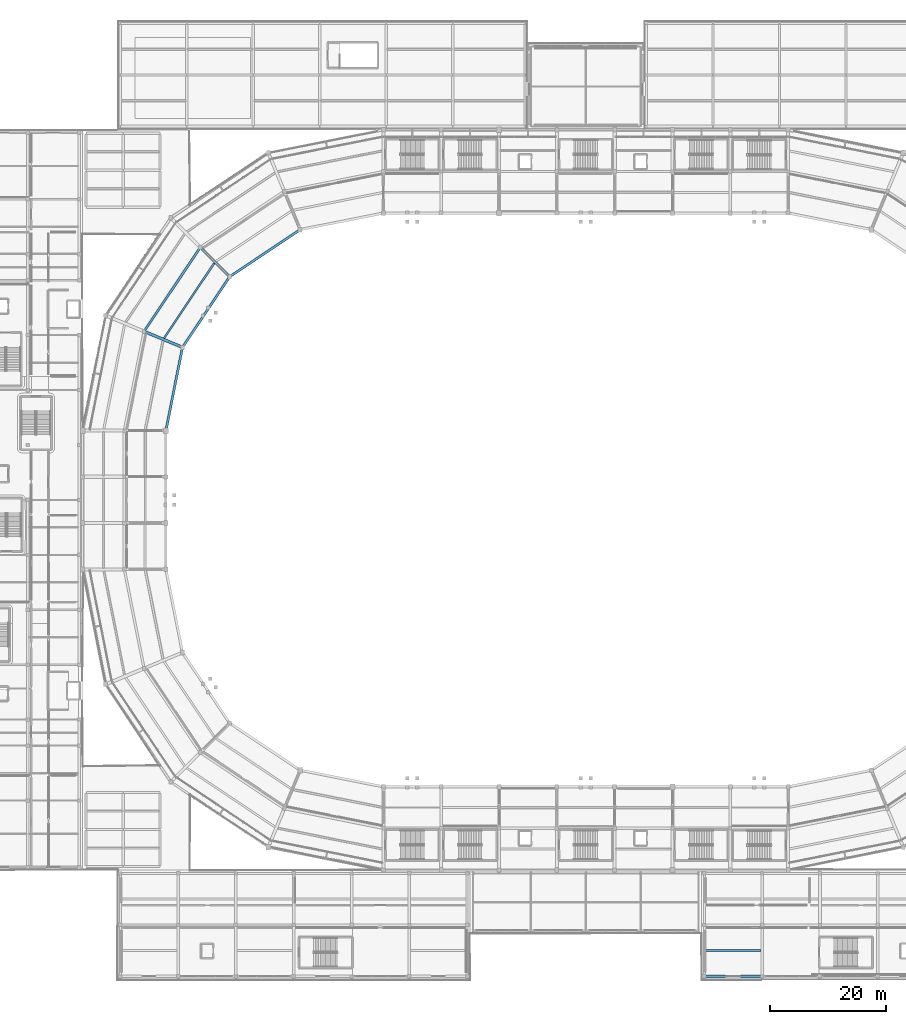
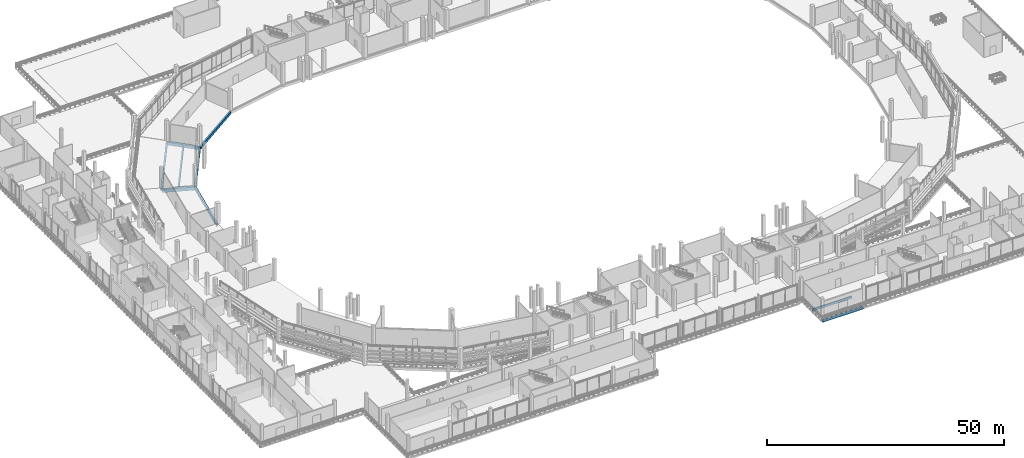
# One storey, part 30 of 111: 9 beams.
"""IFC4 building model written with IfcOpenShell, lengths in metres."""

from ifc_helpers import new_model, si_unit, direction, frame, origin, origin_2d, place, context, subcontext, project, spatial, rectangle, extrude, material, material_profile, profile_set, type_object, element, save


model = new_model("IFC4")

# Units and contexts
model_context = context("Model", 3, precision=1e-05, world=origin(), true_north=direction((0.0, 1.0)))
body_context = subcontext(model_context, "Body", "Model", "MODEL_VIEW")
ifc_project = project(units=[si_unit("LENGTHUNIT", "METRE"), si_unit("AREAUNIT", "SQUARE_METRE"), si_unit("VOLUMEUNIT", "CUBIC_METRE"), si_unit("PLANEANGLEUNIT", "RADIAN"), si_unit("MASSUNIT", "GRAM", prefix="KILO")], contexts=[model_context])

# Site, building, storey
site_placement = place(None, origin())
site = spatial("IfcSite", under=ifc_project, at=site_placement, CompositionType="ELEMENT")
building_placement = place(site_placement, origin())
building = spatial("IfcBuilding", under=site, at=building_placement, Name="Candeia Ridge Stadium", CompositionType="ELEMENT")
storey_placement = place(building_placement, frame((0.0, 0.0, 16.199951171875)))
storey = spatial("IfcBuildingStorey", under=building, at=storey_placement, Name="L03", CompositionType="ELEMENT", Elevation=16.199951171875)

# Beams
ifc_material_1 = material(Name="Concrete C40/50", Category="concrete")
ifc_material_profile_1 = material_profile(ifc_material_1, rectangle(XDim=0.320068359375, YDim=0.52001953125, at=origin_2d()), Name="RC320x520", Category="concrete")
ifc_profile_set_1 = profile_set([ifc_material_profile_1], Name="Concrete C40/50")
beam_type_1 = type_object("IfcBeamType", Name="Floor Joist RC320x520", PredefinedType="JOIST", material=ifc_profile_set_1)
beam_1_placement = place(storey_placement, frame((41.743896484375, 123.9482421875, -0.510009765625), z_axis=(-0.555568527312, -0.831470752017, 0.0), x_axis=(0.831470752017, -0.555568527312, 0.0)))
element("IfcBeam", 1, at=beam_1_placement, inside=storey, type_object=beam_type_1, Name="Concourse secondary joist BM-L03-0596", PredefinedType="JOIST", context=body_context, shape_type="SweptSolid", body=[
    extrude(rectangle(XDim=0.320068359375, YDim=0.52001953125, at=origin_2d()), origin(), (0.0, 0.0, 1.0), 15.63134765625),
])
ifc_material_profile_2 = material_profile(ifc_material_1, rectangle(XDim=0.35009765625, YDim=0.5, at=origin_2d()), Name="RC350x500", Category="concrete")
ifc_profile_set_2 = profile_set([ifc_material_profile_2], Name="Concrete C40/50")
beam_type_2 = type_object("IfcBeamType", Name="Floor Joist RC350x500", PredefinedType="JOIST", material=ifc_profile_set_2)
beam_2_placement = place(storey_placement, frame((126.674560546875, 5.050048828125, -0.5), z_axis=(1.0, 0.0, 0.0), x_axis=(0.0, 1.0, 0.0)))
element("IfcBeam", 2, at=beam_2_placement, inside=storey, type_object=beam_type_2, Name="Wing secondary joist BM-L03-2332", PredefinedType="JOIST", context=body_context, shape_type="SweptSolid", body=[
    extrude(rectangle(XDim=0.35009765625, YDim=0.5, at=origin_2d()), origin(), (0.0, 0.0, 1.0), 9.600830078125),
])
ifc_material_profile_3 = material_profile(ifc_material_1, rectangle(XDim=0.389892578125, YDim=0.639892578125, at=origin_2d()), Name="RC390x640", Category="concrete")
ifc_profile_set_3 = profile_set([ifc_material_profile_3], Name="Concrete C40/50")
beam_type_3 = type_object("IfcBeamType", Name="Frame Girder RC390x640", PredefinedType="BEAM", material=ifc_profile_set_3)
beam_3_placement = place(storey_placement, frame((39.232666015625, 126.54541015625, -0.570068359375), z_axis=(-0.555573223542, -0.831467614091, 0.0), x_axis=(0.831467614091, -0.555573223542, 0.0)))
element("IfcBeam", 3, at=beam_3_placement, inside=storey, type_object=beam_type_3, Name="Concourse spine girder BM-L03-0594", PredefinedType="BEAM", context=body_context, shape_type="SweptSolid", body=[
    extrude(rectangle(XDim=0.389892578125, YDim=0.639892578125, at=origin_2d()), origin(), (0.0, 0.0, 1.0), 17.16015625),
])
ifc_material_profile_4 = material_profile(ifc_material_1, rectangle(XDim=0.419921875, YDim=0.679931640625, at=origin_2d()), Name="RC420x680", Category="concrete")
ifc_profile_set_4 = profile_set([ifc_material_profile_4], Name="Concrete C40/50")
beam_type_4 = type_object("IfcBeamType", Name="Frame Girder RC420x680", PredefinedType="BEAM", material=ifc_profile_set_4)
for number, where, z_axis, x_axis, name in (
    (4, (56.47802734375, 129.64892578125, -0.58984375), (-0.831466176057, -0.55557537569, 0.0), (0.55557537569, -0.831466176057, 0.0), "Bowl inner ring girder BM-L03-0588"),
    (5, (44.323974609375, 121.4541015625, -0.58984375), (-0.55557537569, -0.831466176057, 0.0), (0.831466176057, -0.55557537569, 0.0), "Bowl inner ring girder BM-L03-0593"),
    (6, (36.23095703125, 109.23193359375, -0.58984375), (-0.195098555341, -0.980783642657, 0.0), (0.980783642657, -0.195098555341, 0.0), "Bowl inner ring girder BM-L03-0598"),
):
    element("IfcBeam", number, at=place(storey_placement, frame(where, z_axis=z_axis, x_axis=x_axis)), inside=storey, type_object=beam_type_4, Name=name, PredefinedType="BEAM", context=body_context, shape_type="SweptSolid", body=[
        extrude(rectangle(XDim=0.419921875, YDim=0.679931640625, at=origin_2d()), origin(), (0.0, 0.0, 1.0), 14.350830078125),
    ])
ifc_material_profile_5 = material_profile(ifc_material_1, rectangle(XDim=0.429931640625, YDim=0.739990234375, at=origin_2d()), Name="RC430x740", Category="concrete")
ifc_profile_set_5 = profile_set([ifc_material_profile_5], Name="Concrete C40/50")
beam_type_5 = type_object("IfcBeamType", Name="Frame Girder RC430x740", PredefinedType="BEAM", material=ifc_profile_set_5)
beam_4_placement = place(storey_placement, frame((44.299560546875, 121.700439453125, -0.619873046875), z_axis=(-0.707106781187, 0.707106781187, 0.0), x_axis=(-0.707106781187, -0.707106781187, 0.0)))
element("IfcBeam", 7, at=beam_4_placement, inside=storey, type_object=beam_type_5, Name="Bowl radial girder BM-L03-0499", PredefinedType="BEAM", context=body_context, shape_type="SweptSolid", body=[
    extrude(rectangle(XDim=0.429931640625, YDim=0.739990234375, at=origin_2d()), origin(), (0.0, 0.0, 1.0), 6.8798828125),
])
ifc_material_2 = material(Name="Concrete C45/55", Category="concrete")
ifc_material_profile_6 = material_profile(ifc_material_2, rectangle(XDim=0.47998046875, YDim=0.820068359375, at=origin_2d()), Name="RC480x820", Category="concrete")
ifc_profile_set_6 = profile_set([ifc_material_profile_6], Name="Concrete C45/55")
beam_type_6 = type_object("IfcBeamType", Name="Frame Girder RC480x820", PredefinedType="BEAM", material=ifc_profile_set_6)
beam_5_placement = place(storey_placement, frame((36.1142578125, 109.4501953125, -0.659912109375), z_axis=(-0.923880161031, 0.382681914982, 0.0), x_axis=(-0.382681914982, -0.923880161031, 0.0)))
element("IfcBeam", 8, at=beam_5_placement, inside=storey, type_object=beam_type_6, Name="Bowl radial girder BM-L03-0501", PredefinedType="BEAM", context=body_context, shape_type="SweptSolid", body=[
    extrude(rectangle(XDim=0.47998046875, YDim=0.820068359375, at=origin_2d()), origin(), (0.0, 0.0, 1.0), 6.8798828125),
])
ifc_material_profile_7 = material_profile(ifc_material_1, rectangle(XDim=0.39990234375, YDim=0.64990234375, at=origin_2d()), Name="RC400x650", Category="concrete")
ifc_profile_set_7 = profile_set([ifc_material_profile_7], Name="Concrete C40/50")
beam_type_7 = type_object("IfcBeamType", Name="Wing Primary Girder RC400x650", PredefinedType="BEAM", material=ifc_profile_set_7)
beam_6_placement = place(storey_placement, frame((126.550048828125, 0.60009765625, -0.574951171875), z_axis=(1.0, 0.0, 0.0), x_axis=(0.0, 1.0, 0.0)))
element("IfcBeam", 9, at=beam_6_placement, inside=storey, type_object=beam_type_7, Name="Structural girder BM-L03-2331", PredefinedType="BEAM", context=body_context, shape_type="SweptSolid", body=[
    extrude(rectangle(XDim=0.39990234375, YDim=0.64990234375, at=origin_2d()), origin(), (0.0, 0.0, 1.0), 9.89990234375),
])

save(model, "model.ifc")
